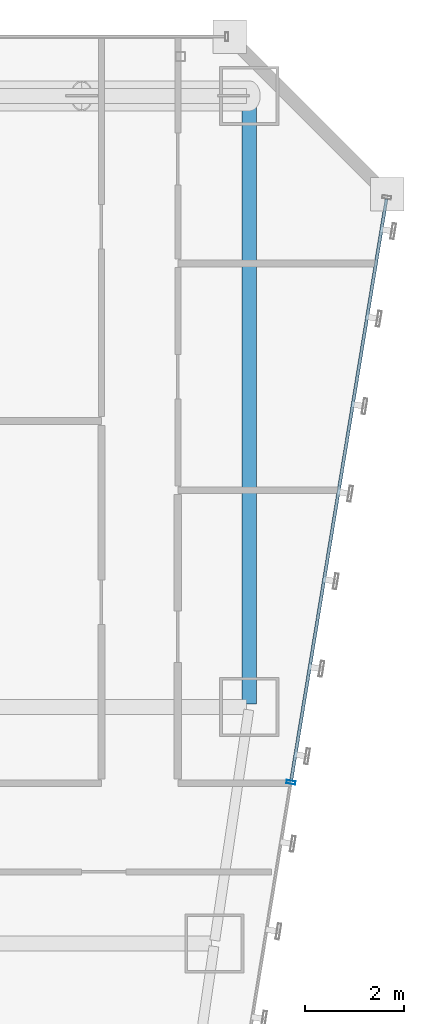
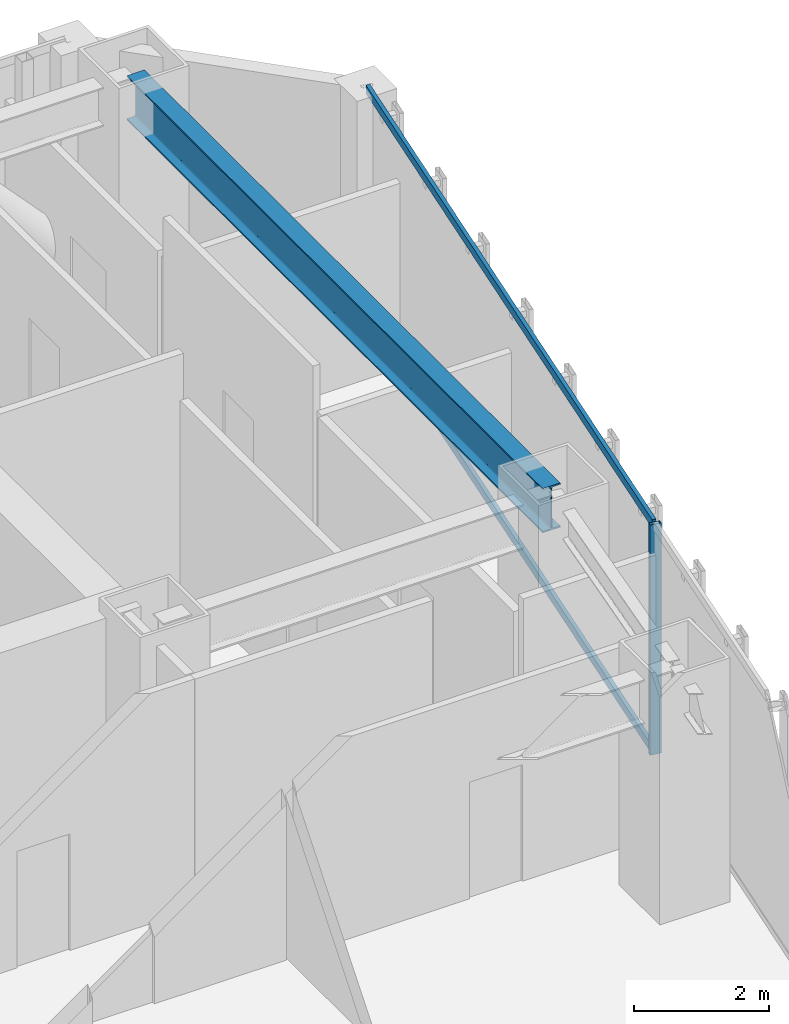
# One storey, part 31 of 47: 3 members, 1 beam, 1 element without a shape of its own.
"""IFC4 building model written with IfcOpenShell, lengths in metres."""

from ifc_helpers import new_model, si_unit, direction, frame, origin, origin_2d, place, context, subcontext, project, spatial, hollow_rectangle, i_section, extrude, material, material_profile, profile_set, type_object, element, aggregate, save


model = new_model("IFC4")

# Units and contexts
model_context = context("Model", 3, precision=1e-05, world=origin(), true_north=direction((0.0, 1.0)))
body_context = subcontext(model_context, "Body", "Model", "MODEL_VIEW")
ifc_project = project(units=[si_unit("LENGTHUNIT", "METRE"), si_unit("AREAUNIT", "SQUARE_METRE"), si_unit("VOLUMEUNIT", "CUBIC_METRE"), si_unit("PLANEANGLEUNIT", "RADIAN"), si_unit("MASSUNIT", "GRAM", prefix="KILO")], contexts=[model_context])

# Site, building, storey
site_placement = place(None, origin())
site = spatial("IfcSite", under=ifc_project, at=site_placement, CompositionType="ELEMENT")
building_placement = place(site_placement, origin())
building = spatial("IfcBuilding", under=site, at=building_placement, Name="Saevonmaru Cultural Tower", CompositionType="ELEMENT")
storey_placement = place(building_placement, frame((0.0, 0.0, 69.199951171875)))
storey = spatial("IfcBuildingStorey", under=building, at=storey_placement, Name="L14", CompositionType="ELEMENT", Elevation=69.199951171875)

# Beam
ifc_material_1 = material(Name="Steel SM420", Category="steel")
ifc_material_profile_1 = material_profile(ifc_material_1, i_section(OverallWidth=0.300048828125, OverallDepth=0.800048828125, WebThickness=0.013916015625, FlangeThickness=0.02587890625, FilletRadius=0.028076171875, at=origin_2d()), Name="H-800x300x14x26")
ifc_profile_set_1 = profile_set([ifc_material_profile_1], Name="Steel SM420")
beam_type = type_object("IfcBeamType", Name="BM-G-H800", PredefinedType="BEAM", material=ifc_profile_set_1)
beam_placement = place(storey_placement, frame((53.199951171875, 54.739990234375, 3.75), z_axis=(0.0, -1.0, 0.0), x_axis=(1.0, 0.0, 0.0)))
element("IfcBeam", 1, at=beam_placement, inside=storey, type_object=beam_type, Name="L14 Spine Transverse Girder E", PredefinedType="BEAM", context=body_context, shape_type="SweptSolid", body=[
    extrude(i_section(OverallWidth=0.300048828125, OverallDepth=0.800048828125, WebThickness=0.013916015625, FlangeThickness=0.02587890625, FilletRadius=0.028076171875, at=origin_2d()), origin(), (0.0, 0.0, 1.0), 12.280029296875),
])

# Curtain wall, members
ifc_material_2 = material(Name="Satin Bronze Anodised Aluminium", Category="aluminium")
curtain_wall_type = type_object("IfcCurtainWallType", Name="CW-TYP-A", PredefinedType="NOTDEFINED", material=ifc_material_2)
curtain_wall_placement = place(storey_placement, origin())
curtain_wall = element("IfcCurtainWall", 2, at=curtain_wall_placement, inside=storey, type_object=curtain_wall_type, Name="L14 Unitised Curtain Wall E8", PredefinedType="NOTDEFINED")
ifc_material_profile_2 = material_profile(ifc_material_2, hollow_rectangle(XDim=0.06494140625, YDim=0.179931640625, WallThickness=0.00390625, at=origin_2d()), Name="ALU-MULL-180x65x4")
ifc_profile_set_2 = profile_set([ifc_material_profile_2], Name="Satin Bronze Anodised Aluminium")
member_type_1 = type_object("IfcMemberType", Name="ML-CW-180x65", PredefinedType="MULLION", material=ifc_profile_set_2)
member_1_placement = place(storey_placement, frame((54.045166015625, 40.870361328125, 0.0), z_axis=(0.0, 0.0, 1.0), x_axis=(0.161708868641, 0.986838508472, 0.0)))
member_1 = element("IfcMember", 3, at=member_1_placement, type_object=member_type_1, Name="CW-TW-L14-E8 mullion 4", PredefinedType="MULLION", context=body_context, shape_type="SweptSolid", body=[
    extrude(hollow_rectangle(XDim=0.06494140625, YDim=0.179931640625, WallThickness=0.00390625, at=origin_2d()), origin(), (0.0, 0.0, 1.0), 4.150146484375),
])
ifc_material_profile_3 = material_profile(ifc_material_2, hollow_rectangle(XDim=0.06494140625, YDim=0.14990234375, WallThickness=0.00390625, at=origin_2d()), Name="ALU-TRAN-150x65x4")
ifc_profile_set_3 = profile_set([ifc_material_profile_3], Name="Satin Bronze Anodised Aluminium")
member_type_2 = type_object("IfcMemberType", Name="TR-CW-150x65", PredefinedType="USERDEFINED", material=ifc_profile_set_3)
member_2_placement = place(storey_placement, frame((54.05029296875, 40.902587890625, 0.032470703125), z_axis=(0.161724530373, 0.986835941925, 0.0), x_axis=(-0.986835941925, 0.161724530373, 0.0)))
member_2 = element("IfcMember", 4, at=member_2_placement, type_object=member_type_2, Name="CW-TW-L14-E8 transom 4.1", ObjectType="TRANSOM", PredefinedType="USERDEFINED", context=body_context, shape_type="SweptSolid", body=[
    extrude(hollow_rectangle(XDim=0.06494140625, YDim=0.14990234375, WallThickness=0.00390625, at=origin_2d()), origin(), (0.0, 0.0, 1.0), 11.963623046875),
])
member_3_placement = place(storey_placement, frame((54.05029296875, 40.902587890625, 4.117431640625), z_axis=(0.161724530373, 0.986835941925, 0.0), x_axis=(-0.986835941925, 0.161724530373, 0.0)))
member_3 = element("IfcMember", 5, at=member_3_placement, type_object=member_type_2, Name="CW-TW-L14-E8 transom 4.2", ObjectType="TRANSOM", PredefinedType="USERDEFINED", context=body_context, shape_type="SweptSolid", body=[
    extrude(hollow_rectangle(XDim=0.06494140625, YDim=0.14990234375, WallThickness=0.00390625, at=origin_2d()), origin(), (0.0, 0.0, 1.0), 11.963623046875),
])
aggregate(curtain_wall, [member_1, member_2, member_3])

save(model, "model.ifc")
